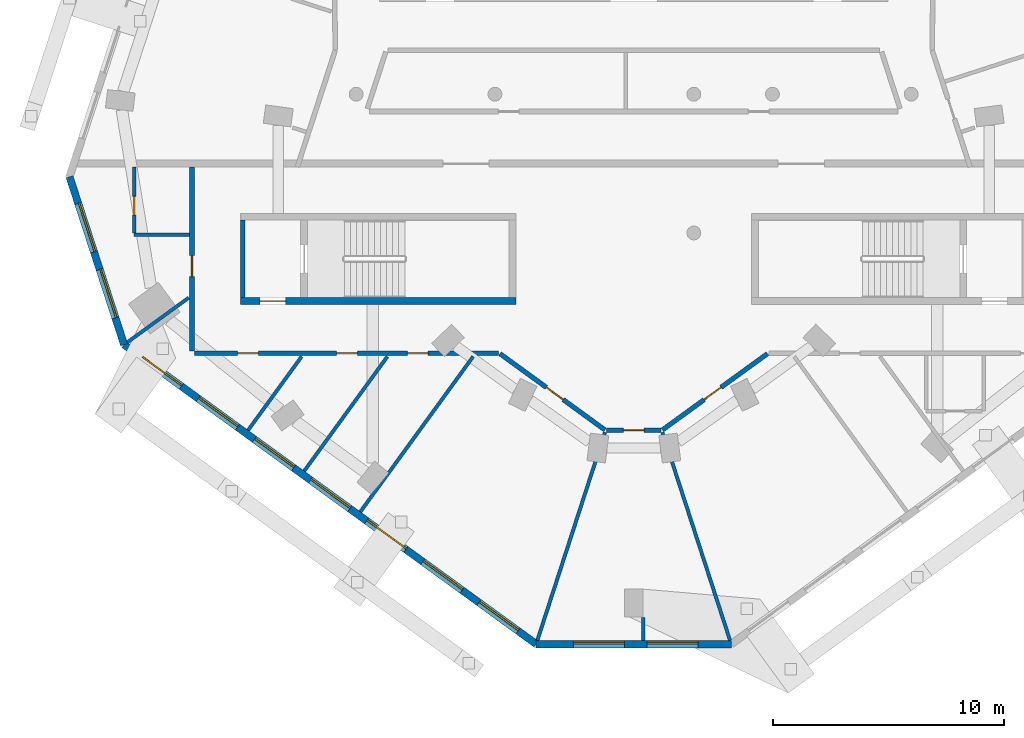
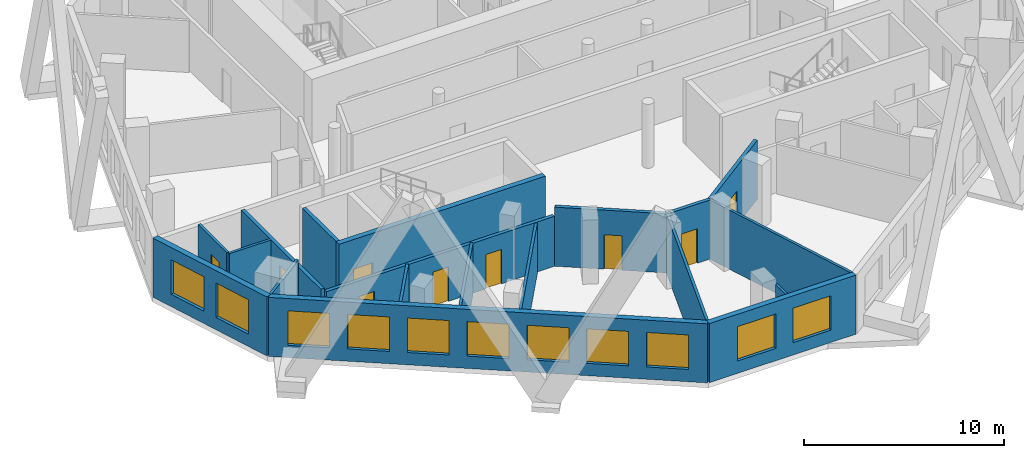
# One storey, part 3 of 10: 19 walls, 11 windows, 9 doors, 20 openings.
"""IFC4 building model written with IfcOpenShell, lengths in metres."""

from ifc_helpers import new_model, si_unit, direction, frame, frame_2d, origin, place, context, subcontext, project, spatial, rectangle, extrude, material, layer, layer_set, type_object, element, fill, save


model = new_model("IFC4")

# Units and contexts
model_context = context("Model", 3, precision=1e-05, world=origin(), true_north=direction((0.0, 1.0)))
body_context = subcontext(model_context, "Body", "Model", "MODEL_VIEW")
ifc_project = project(units=[si_unit("LENGTHUNIT", "METRE"), si_unit("AREAUNIT", "SQUARE_METRE"), si_unit("VOLUMEUNIT", "CUBIC_METRE"), si_unit("PLANEANGLEUNIT", "RADIAN"), si_unit("MASSUNIT", "GRAM", prefix="KILO")], contexts=[model_context])

# Site, building, storey
site_placement = place(None, origin())
site = spatial("IfcSite", under=ifc_project, at=site_placement, CompositionType="ELEMENT")
building_placement = place(site_placement, origin())
building = spatial("IfcBuilding", under=site, at=building_placement, Name="White Candle Pilgrim Tower", CompositionType="ELEMENT")
storey_placement = place(building_placement, frame((0.0, 0.0, 219.89990234375)))
storey = spatial("IfcBuildingStorey", under=building, at=storey_placement, Name="L51", CompositionType="ELEMENT", Elevation=219.89990234375)

# Wall
ifc_material_1 = material(Name="Concrete C50/60", Category="concrete")
ifc_layer_1 = layer(ifc_material_1, 0.199951171875)
ifc_layer_set_1 = layer_set([ifc_layer_1], Name="Core wall 200 mm Concrete C50/60")
wall_type_1 = type_object("IfcWallType", Name="Core wall 200 mm Concrete C50/60", PredefinedType="SHEAR", material=ifc_layer_set_1)
wall_1_placement = place(storey_placement, frame((53.10009765625, 58.199951171875, 0.0), z_axis=(0.0, 0.0, 1.0), x_axis=(0.0, 1.0, 0.0)))
element("IfcWall", 1, at=wall_1_placement, inside=storey, type_object=wall_type_1, Name="WL-L51-C03", PredefinedType="SHEAR", context=body_context, shape_type="SweptSolid", body=[
    extrude(rectangle(XDim=3.35009765625, YDim=0.199951171875, at=frame_2d((1.675048828125, 0.0))), origin(), (0.0, 0.0, 1.0), 3.900146484375),
])

# Wall, opening, door
ifc_material_2 = material(Name="Gypsum board on steel studs", Category="steel")
ifc_layer_2 = layer(ifc_material_2, 0.199951171875)
ifc_layer_set_2 = layer_set([ifc_layer_2], Name="Corridor wall 200 mm EI 45")
wall_type_2 = type_object("IfcWallType", Name="Corridor wall 200 mm EI 45", PredefinedType="PARTITIONING", material=ifc_layer_set_2)
wall_2_placement = place(storey_placement, frame((75.7841796875, 55.781005859375, 0.0), z_axis=(0.0, 0.0, 1.0), x_axis=(-0.809008664729, -0.587796716896, 0.0)))
wall_2 = element("IfcWall", 2, at=wall_2_placement, inside=storey, type_object=wall_type_2, Name="WL-L51-P008", PredefinedType="PARTITIONING", context=body_context, shape_type="SweptSolid", body=[
    extrude(rectangle(XDim=5.6142578125, YDim=0.199951171875, at=frame_2d((2.80712890625, 0.0))), origin(), (0.0, 0.0, 1.0), 3.60009765625),
])
opening_1_placement = place(wall_2_placement, frame((2.482177734375, 0.0, 0.0)))
opening_1 = element("IfcOpeningElement", 3, at=opening_1_placement, cuts=wall_2, Name="Opening T16-108", PredefinedType="OPENING", context=body_context, shape_type="SweptSolid", body=[
    extrude(rectangle(XDim=0.89990234375, YDim=2.10009765625, at=frame_2d((0.449951171875, 1.050048828125))), frame((0.0, 0.10986328125, 0.0), z_axis=(0.0, -1.0, 0.0), x_axis=(1.0, 0.0, 0.0)), (0.0, 0.0, 1.0), 0.219970703125),
])
ifc_material_3 = material(Name="Steel door leaf", Category="steel")
door_type_1 = type_object("IfcDoorType", Name="Fire door 900 x 2100 EI 30", OperationType="NOTDEFINED", PredefinedType="DOOR", material=ifc_material_3)
door_1_placement = place(opening_1_placement, origin())
door_1 = element("IfcDoor", 4, at=door_1_placement, inside=storey, type_object=door_type_1, Name="Door T16-108", OperationType="SINGLE_SWING_RIGHT", OverallHeight=2.10009765625, OverallWidth=0.89990234375, PredefinedType="DOOR", context=body_context, shape_type="SweptSolid", body=[
    extrude(rectangle(XDim=0.89990234375, YDim=2.10009765625, at=frame_2d((0.449951171875, 1.050048828125))), frame((0.0, 0.02490234375, 0.0), z_axis=(0.0, -1.0, 0.0), x_axis=(1.0, 0.0, 0.0)), (0.0, 0.0, 1.0), 0.050048828125),
])
fill(opening_1, door_1)

wall_3_placement = place(storey_placement, frame((71.18359375, 52.4619140625, 0.0), z_axis=(0.0, 0.0, 1.0), x_axis=(-1.0, 0.0, 0.0)))
wall_3 = element("IfcWall", 5, at=wall_3_placement, inside=storey, type_object=wall_type_2, Name="WL-L51-P009", PredefinedType="PARTITIONING", context=body_context, shape_type="SweptSolid", body=[
    extrude(rectangle(XDim=2.3671875, YDim=0.199951171875, at=frame_2d((1.18359375, 0.0))), origin(), (0.0, 0.0, 1.0), 3.60009765625),
])
opening_2_placement = place(wall_3_placement, frame((0.7333984375, 0.0, 0.0)))
opening_2 = element("IfcOpeningElement", 6, at=opening_2_placement, cuts=wall_3, Name="Opening T16-107", PredefinedType="OPENING", context=body_context, shape_type="SweptSolid", body=[
    extrude(rectangle(XDim=0.89990234375, YDim=2.10009765625, at=frame_2d((0.449951171875, 1.050048828125))), frame((0.0, 0.10986328125, 0.0), z_axis=(0.0, -1.0, 0.0), x_axis=(1.0, 0.0, 0.0)), (0.0, 0.0, 1.0), 0.219970703125),
])
door_2_placement = place(opening_2_placement, origin())
door_2 = element("IfcDoor", 7, at=door_2_placement, inside=storey, type_object=door_type_1, Name="Door T16-107", OperationType="SINGLE_SWING_LEFT", OverallHeight=2.10009765625, OverallWidth=0.89990234375, PredefinedType="DOOR", context=body_context, shape_type="SweptSolid", body=[
    extrude(rectangle(XDim=0.89990234375, YDim=2.10009765625, at=frame_2d((0.449951171875, 1.050048828125))), frame((0.0, 0.02490234375, 0.0), z_axis=(0.0, -1.0, 0.0), x_axis=(1.0, 0.0, 0.0)), (0.0, 0.0, 1.0), 0.050048828125),
])
fill(opening_2, door_2)

wall_4_placement = place(storey_placement, frame((68.7578125, 52.48095703125, 0.0), z_axis=(0.0, 0.0, 1.0), x_axis=(-0.809008664729, 0.587796716896, 0.0)))
wall_4 = element("IfcWall", 8, at=wall_4_placement, inside=storey, type_object=wall_type_2, Name="WL-L51-P010", PredefinedType="PARTITIONING", context=body_context, shape_type="SweptSolid", body=[
    extrude(rectangle(XDim=5.6142578125, YDim=0.199951171875, at=frame_2d((2.80712890625, 0.0))), origin(), (0.0, 0.0, 1.0), 3.60009765625),
])
opening_3_placement = place(wall_4_placement, frame((2.23193359375, 0.0, 0.0)))
opening_3 = element("IfcOpeningElement", 9, at=opening_3_placement, cuts=wall_4, Name="Opening T16-106", PredefinedType="OPENING", context=body_context, shape_type="SweptSolid", body=[
    extrude(rectangle(XDim=0.89990234375, YDim=2.10009765625, at=frame_2d((0.449951171875, 1.050048828125))), frame((0.0, 0.10986328125, 0.0), z_axis=(0.0, -1.0, 0.0), x_axis=(1.0, 0.0, 0.0)), (0.0, 0.0, 1.0), 0.219970703125),
])
door_3_placement = place(opening_3_placement, origin())
door_3 = element("IfcDoor", 10, at=door_3_placement, inside=storey, type_object=door_type_1, Name="Door T16-106", OperationType="SINGLE_SWING_RIGHT", OverallHeight=2.10009765625, OverallWidth=0.89990234375, PredefinedType="DOOR", context=body_context, shape_type="SweptSolid", body=[
    extrude(rectangle(XDim=0.89990234375, YDim=2.10009765625, at=frame_2d((0.449951171875, 1.050048828125))), frame((0.0, 0.02490234375, 0.0), z_axis=(0.0, -1.0, 0.0), x_axis=(1.0, 0.0, 0.0)), (0.0, 0.0, 1.0), 0.050048828125),
])
fill(opening_3, door_3)

# Wall, openings, doors
wall_5_placement = place(storey_placement, frame((64.156982421875, 55.800048828125, 0.0), z_axis=(0.0, 0.0, 1.0), x_axis=(-1.0, 0.0, 0.0)))
wall_5 = element("IfcWall", 11, at=wall_5_placement, inside=storey, type_object=wall_type_2, Name="WL-L51-P011", PredefinedType="PARTITIONING", context=body_context, shape_type="SweptSolid", body=[
    extrude(rectangle(XDim=13.156982421875, YDim=0.199951171875, at=frame_2d((6.57861328125, 0.0))), origin(), (0.0, 0.0, 1.0), 3.050048828125),
])
opening_4_placement = place(wall_5_placement, frame((10.384033203125, 0.0, 0.0)))
opening_4 = element("IfcOpeningElement", 12, at=opening_4_placement, cuts=wall_5, Name="Opening T16-103", PredefinedType="OPENING", context=body_context, shape_type="SweptSolid", body=[
    extrude(rectangle(XDim=0.89990234375, YDim=2.10009765625, at=frame_2d((0.449951171875, 1.050048828125))), frame((0.0, 0.10986328125, 0.0), z_axis=(0.0, -1.0, 0.0), x_axis=(1.0, 0.0, 0.0)), (0.0, 0.0, 1.0), 0.219970703125),
])
opening_5_placement = place(wall_5_placement, frame((6.10693359375, 0.0, 0.0)))
opening_5 = element("IfcOpeningElement", 13, at=opening_5_placement, cuts=wall_5, Name="Opening T16-104", PredefinedType="OPENING", context=body_context, shape_type="SweptSolid", body=[
    extrude(rectangle(XDim=0.89990234375, YDim=2.10009765625, at=frame_2d((0.449951171875, 1.050048828125))), frame((0.0, 0.10986328125, 0.0), z_axis=(0.0, -1.0, 0.0), x_axis=(1.0, 0.0, 0.0)), (0.0, 0.0, 1.0), 0.219970703125),
])
opening_6_placement = place(wall_5_placement, frame((3.048828125, 0.0, 0.0)))
opening_6 = element("IfcOpeningElement", 14, at=opening_6_placement, cuts=wall_5, Name="Opening T16-105", PredefinedType="OPENING", context=body_context, shape_type="SweptSolid", body=[
    extrude(rectangle(XDim=0.89990234375, YDim=2.10009765625, at=frame_2d((0.449951171875, 1.050048828125))), frame((0.0, 0.10986328125, 0.0), z_axis=(0.0, -1.0, 0.0), x_axis=(1.0, 0.0, 0.0)), (0.0, 0.0, 1.0), 0.219970703125),
])
door_4_placement = place(opening_4_placement, origin())
door_4 = element("IfcDoor", 15, at=door_4_placement, inside=storey, type_object=door_type_1, Name="Door T16-103", OperationType="SINGLE_SWING_LEFT", OverallHeight=2.10009765625, OverallWidth=0.89990234375, PredefinedType="DOOR", context=body_context, shape_type="SweptSolid", body=[
    extrude(rectangle(XDim=0.89990234375, YDim=2.10009765625, at=frame_2d((0.449951171875, 1.050048828125))), frame((0.0, 0.02490234375, 0.0), z_axis=(0.0, -1.0, 0.0), x_axis=(1.0, 0.0, 0.0)), (0.0, 0.0, 1.0), 0.050048828125),
])
fill(opening_4, door_4)
door_5_placement = place(opening_5_placement, origin())
door_5 = element("IfcDoor", 16, at=door_5_placement, inside=storey, type_object=door_type_1, Name="Door T16-104", OperationType="SINGLE_SWING_RIGHT", OverallHeight=2.10009765625, OverallWidth=0.89990234375, PredefinedType="DOOR", context=body_context, shape_type="SweptSolid", body=[
    extrude(rectangle(XDim=0.89990234375, YDim=2.10009765625, at=frame_2d((0.449951171875, 1.050048828125))), frame((0.0, 0.02490234375, 0.0), z_axis=(0.0, -1.0, 0.0), x_axis=(1.0, 0.0, 0.0)), (0.0, 0.0, 1.0), 0.050048828125),
])
fill(opening_5, door_5)
door_6_placement = place(opening_6_placement, origin())
door_6 = element("IfcDoor", 17, at=door_6_placement, inside=storey, type_object=door_type_1, Name="Door T16-105", OperationType="SINGLE_SWING_LEFT", OverallHeight=2.10009765625, OverallWidth=0.89990234375, PredefinedType="DOOR", context=body_context, shape_type="SweptSolid", body=[
    extrude(rectangle(XDim=0.89990234375, YDim=2.10009765625, at=frame_2d((0.449951171875, 1.050048828125))), frame((0.0, 0.02490234375, 0.0), z_axis=(0.0, -1.0, 0.0), x_axis=(1.0, 0.0, 0.0)), (0.0, 0.0, 1.0), 0.050048828125),
])
fill(opening_6, door_6)

# Wall, opening, door
wall_6_placement = place(storey_placement, frame((50.89990234375, 55.89990234375, 0.0), z_axis=(0.0, 0.0, 1.0), x_axis=(0.0, 1.0, 0.0)))
wall_6 = element("IfcWall", 18, at=wall_6_placement, inside=storey, type_object=wall_type_2, Name="WL-L51-P012", PredefinedType="PARTITIONING", context=body_context, shape_type="SweptSolid", body=[
    extrude(rectangle(XDim=7.9501953125, YDim=0.199951171875, at=frame_2d((3.97509765625, 0.0))), origin(), (0.0, 0.0, 1.0), 3.150146484375),
])
opening_7_placement = place(wall_6_placement, frame((3.216796875, 0.0, 0.0)))
opening_7 = element("IfcOpeningElement", 19, at=opening_7_placement, cuts=wall_6, Name="Opening T16-102", PredefinedType="OPENING", context=body_context, shape_type="SweptSolid", body=[
    extrude(rectangle(XDim=0.89990234375, YDim=2.10009765625, at=frame_2d((0.449951171875, 1.050048828125))), frame((0.0, 0.10986328125, 0.0), z_axis=(0.0, -1.0, 0.0), x_axis=(1.0, 0.0, 0.0)), (0.0, 0.0, 1.0), 0.219970703125),
])
door_7_placement = place(opening_7_placement, origin())
door_7 = element("IfcDoor", 20, at=door_7_placement, inside=storey, type_object=door_type_1, Name="Door T16-102", OperationType="SINGLE_SWING_RIGHT", OverallHeight=2.10009765625, OverallWidth=0.89990234375, PredefinedType="DOOR", context=body_context, shape_type="SweptSolid", body=[
    extrude(rectangle(XDim=0.89990234375, YDim=2.10009765625, at=frame_2d((0.449951171875, 1.050048828125))), frame((0.0, 0.02490234375, 0.0), z_axis=(0.0, -1.0, 0.0), x_axis=(1.0, 0.0, 0.0)), (0.0, 0.0, 1.0), 0.050048828125),
])
fill(opening_7, door_7)

# Wall, openings, windows
ifc_material_4 = material(Name="Precast concrete C40/50", Category="concrete")
ifc_layer_3 = layer(ifc_material_4, 0.320068359375)
ifc_layer_set_3 = layer_set([ifc_layer_3], Name="Facade wall EW1 precast concrete C40/50 pier wall with timber-lined reveals")
wall_type_3 = type_object("IfcWallType", Name="Facade wall EW1 precast concrete C40/50 pier wall with timber-lined reveals", PredefinedType="SOLIDWALL", material=ifc_layer_set_3)
wall_7_placement = place(storey_placement, frame((45.60302734375, 63.431884765625, 0.0), z_axis=(0.0, 0.0, 1.0), x_axis=(0.308997893913, -0.951062722199, 0.0)))
wall_7 = element("IfcWall", 21, at=wall_7_placement, inside=storey, type_object=wall_type_3, Name="Facade wall L51 W chamfer", PredefinedType="SOLIDWALL", context=body_context, shape_type="SweptSolid", body=[
    extrude(rectangle(XDim=7.637939453125, YDim=0.320068359375, at=frame_2d((3.81884765625, 0.0))), origin(), (0.0, 0.0, 1.0), 3.60009765625),
])
opening_8_placement = place(wall_7_placement, frame((1.218994140625, 0.0, 0.75)))
opening_8 = element("IfcOpeningElement", 22, at=opening_8_placement, cuts=wall_7, Name="Opening W4", PredefinedType="OPENING", context=body_context, shape_type="SweptSolid", body=[
    extrude(rectangle(XDim=2.199951171875, YDim=2.10009765625, at=frame_2d((1.10009765625, 1.050048828125))), frame((0.0, 0.169921875, 0.0), z_axis=(0.0, -1.0, 0.0), x_axis=(1.0, 0.0, 0.0)), (0.0, 0.0, 1.0), 0.340087890625),
])
opening_9_placement = place(wall_7_placement, frame((4.218994140625, 0.0, 0.75)))
opening_9 = element("IfcOpeningElement", 23, at=opening_9_placement, cuts=wall_7, Name="Opening W4", PredefinedType="OPENING", context=body_context, shape_type="SweptSolid", body=[
    extrude(rectangle(XDim=2.199951171875, YDim=2.10009765625, at=frame_2d((1.10009765625, 1.050048828125))), frame((0.0, 0.169921875, 0.0), z_axis=(0.0, -1.0, 0.0), x_axis=(1.0, 0.0, 0.0)), (0.0, 0.0, 1.0), 0.340087890625),
])
ifc_material_5 = material(Name="Timber frame with triple glazing", Category="wood")
window_type_1 = type_object("IfcWindowType", Name="Window W4 2200x2100 timber frame triple glazing", PartitioningType="SINGLE_PANEL", PredefinedType="WINDOW", material=ifc_material_5)
window_1_placement = place(opening_8_placement, origin())
window_1 = element("IfcWindow", 24, at=window_1_placement, inside=storey, type_object=window_type_1, Name="Window W4 L51 W chamfer 1", OverallHeight=2.10009765625, OverallWidth=2.199951171875, PartitioningType="SINGLE_PANEL", PredefinedType="WINDOW", context=body_context, shape_type="SweptSolid", body=[
    extrude(rectangle(XDim=2.199951171875, YDim=2.10009765625, at=frame_2d((1.10009765625, 1.050048828125))), frame((0.0, 0.070068359375, 0.0), z_axis=(0.0, -1.0, 0.0), x_axis=(1.0, 0.0, 0.0)), (0.0, 0.0, 1.0), 0.06005859375),
])
fill(opening_8, window_1)
window_2_placement = place(opening_9_placement, origin())
window_2 = element("IfcWindow", 25, at=window_2_placement, inside=storey, type_object=window_type_1, Name="Window W4 L51 W chamfer 2", OverallHeight=2.10009765625, OverallWidth=2.199951171875, PartitioningType="SINGLE_PANEL", PredefinedType="WINDOW", context=body_context, shape_type="SweptSolid", body=[
    extrude(rectangle(XDim=2.199951171875, YDim=2.10009765625, at=frame_2d((1.10009765625, 1.050048828125))), frame((0.0, 0.070068359375, 0.0), z_axis=(0.0, -1.0, 0.0), x_axis=(1.0, 0.0, 0.0)), (0.0, 0.0, 1.0), 0.06005859375),
])
fill(opening_9, window_2)

wall_8_placement = place(storey_placement, frame((47.963134765625, 56.167724609375, 0.0), z_axis=(0.0, 0.0, 1.0), x_axis=(0.809020717907, -0.587780127256, 0.0)))
wall_8 = element("IfcWall", 26, at=wall_8_placement, inside=storey, type_object=wall_type_3, Name="Facade wall L51 SW", PredefinedType="SOLIDWALL", context=body_context, shape_type="SweptSolid", body=[
    extrude(rectangle(XDim=22.02490234375, YDim=0.320068359375, at=frame_2d((11.012451171875, 0.0))), origin(), (0.0, 0.0, 1.0), 3.60009765625),
])
opening_10_placement = place(wall_8_placement, frame((0.96240234375, 0.0, 0.75)))
opening_10 = element("IfcOpeningElement", 27, at=opening_10_placement, cuts=wall_8, Name="Opening W3", PredefinedType="OPENING", context=body_context, shape_type="SweptSolid", body=[
    extrude(rectangle(XDim=2.10009765625, YDim=2.10009765625, at=frame_2d((1.050048828125, 1.050048828125))), frame((0.0, 0.169921875, 0.0), z_axis=(0.0, -1.0, 0.0), x_axis=(1.0, 0.0, 0.0)), (0.0, 0.0, 1.0), 0.340087890625),
])
opening_11_placement = place(wall_8_placement, frame((3.96240234375, 0.0, 0.75)))
opening_11 = element("IfcOpeningElement", 28, at=opening_11_placement, cuts=wall_8, Name="Opening W3", PredefinedType="OPENING", context=body_context, shape_type="SweptSolid", body=[
    extrude(rectangle(XDim=2.10009765625, YDim=2.10009765625, at=frame_2d((1.050048828125, 1.050048828125))), frame((0.0, 0.169921875, 0.0), z_axis=(0.0, -1.0, 0.0), x_axis=(1.0, 0.0, 0.0)), (0.0, 0.0, 1.0), 0.340087890625),
])
opening_12_placement = place(wall_8_placement, frame((6.96240234375, 0.0, 0.75)))
opening_12 = element("IfcOpeningElement", 29, at=opening_12_placement, cuts=wall_8, Name="Opening W3", PredefinedType="OPENING", context=body_context, shape_type="SweptSolid", body=[
    extrude(rectangle(XDim=2.10009765625, YDim=2.10009765625, at=frame_2d((1.050048828125, 1.050048828125))), frame((0.0, 0.169921875, 0.0), z_axis=(0.0, -1.0, 0.0), x_axis=(1.0, 0.0, 0.0)), (0.0, 0.0, 1.0), 0.340087890625),
])
opening_13_placement = place(wall_8_placement, frame((9.96240234375, 0.0, 0.75)))
opening_13 = element("IfcOpeningElement", 30, at=opening_13_placement, cuts=wall_8, Name="Opening W3", PredefinedType="OPENING", context=body_context, shape_type="SweptSolid", body=[
    extrude(rectangle(XDim=2.10009765625, YDim=2.10009765625, at=frame_2d((1.050048828125, 1.050048828125))), frame((0.0, 0.169921875, 0.0), z_axis=(0.0, -1.0, 0.0), x_axis=(1.0, 0.0, 0.0)), (0.0, 0.0, 1.0), 0.340087890625),
])
opening_14_placement = place(wall_8_placement, frame((12.96240234375, 0.0, 0.75)))
opening_14 = element("IfcOpeningElement", 31, at=opening_14_placement, cuts=wall_8, Name="Opening W3", PredefinedType="OPENING", context=body_context, shape_type="SweptSolid", body=[
    extrude(rectangle(XDim=2.10009765625, YDim=2.10009765625, at=frame_2d((1.050048828125, 1.050048828125))), frame((0.0, 0.169921875, 0.0), z_axis=(0.0, -1.0, 0.0), x_axis=(1.0, 0.0, 0.0)), (0.0, 0.0, 1.0), 0.340087890625),
])
opening_15_placement = place(wall_8_placement, frame((15.96240234375, 0.0, 0.75)))
opening_15 = element("IfcOpeningElement", 32, at=opening_15_placement, cuts=wall_8, Name="Opening W3", PredefinedType="OPENING", context=body_context, shape_type="SweptSolid", body=[
    extrude(rectangle(XDim=2.10009765625, YDim=2.10009765625, at=frame_2d((1.050048828125, 1.050048828125))), frame((0.0, 0.169921875, 0.0), z_axis=(0.0, -1.0, 0.0), x_axis=(1.0, 0.0, 0.0)), (0.0, 0.0, 1.0), 0.340087890625),
])
opening_16_placement = place(wall_8_placement, frame((18.96240234375, 0.0, 0.75)))
opening_16 = element("IfcOpeningElement", 33, at=opening_16_placement, cuts=wall_8, Name="Opening W3", PredefinedType="OPENING", context=body_context, shape_type="SweptSolid", body=[
    extrude(rectangle(XDim=2.10009765625, YDim=2.10009765625, at=frame_2d((1.050048828125, 1.050048828125))), frame((0.0, 0.169921875, 0.0), z_axis=(0.0, -1.0, 0.0), x_axis=(1.0, 0.0, 0.0)), (0.0, 0.0, 1.0), 0.340087890625),
])
window_type_2 = type_object("IfcWindowType", Name="Window W3 2100x2100 timber frame triple glazing", PartitioningType="SINGLE_PANEL", PredefinedType="WINDOW", material=ifc_material_5)
window_3_placement = place(opening_10_placement, origin())
window_3 = element("IfcWindow", 34, at=window_3_placement, inside=storey, type_object=window_type_2, Name="Window W3 L51 SW 1", OverallHeight=2.10009765625, OverallWidth=2.10009765625, PartitioningType="SINGLE_PANEL", PredefinedType="WINDOW", context=body_context, shape_type="SweptSolid", body=[
    extrude(rectangle(XDim=2.10009765625, YDim=2.10009765625, at=frame_2d((1.050048828125, 1.050048828125))), frame((0.0, 0.070068359375, 0.0), z_axis=(0.0, -1.0, 0.0), x_axis=(1.0, 0.0, 0.0)), (0.0, 0.0, 1.0), 0.06005859375),
])
fill(opening_10, window_3)
window_4_placement = place(opening_11_placement, origin())
window_4 = element("IfcWindow", 35, at=window_4_placement, inside=storey, type_object=window_type_2, Name="Window W3 L51 SW 2", OverallHeight=2.10009765625, OverallWidth=2.10009765625, PartitioningType="SINGLE_PANEL", PredefinedType="WINDOW", context=body_context, shape_type="SweptSolid", body=[
    extrude(rectangle(XDim=2.10009765625, YDim=2.10009765625, at=frame_2d((1.050048828125, 1.050048828125))), frame((0.0, 0.070068359375, 0.0), z_axis=(0.0, -1.0, 0.0), x_axis=(1.0, 0.0, 0.0)), (0.0, 0.0, 1.0), 0.06005859375),
])
fill(opening_11, window_4)
window_5_placement = place(opening_12_placement, origin())
window_5 = element("IfcWindow", 36, at=window_5_placement, inside=storey, type_object=window_type_2, Name="Window W3 L51 SW 3", OverallHeight=2.10009765625, OverallWidth=2.10009765625, PartitioningType="SINGLE_PANEL", PredefinedType="WINDOW", context=body_context, shape_type="SweptSolid", body=[
    extrude(rectangle(XDim=2.10009765625, YDim=2.10009765625, at=frame_2d((1.050048828125, 1.050048828125))), frame((0.0, 0.070068359375, 0.0), z_axis=(0.0, -1.0, 0.0), x_axis=(1.0, 0.0, 0.0)), (0.0, 0.0, 1.0), 0.06005859375),
])
fill(opening_12, window_5)
window_6_placement = place(opening_13_placement, origin())
window_6 = element("IfcWindow", 37, at=window_6_placement, inside=storey, type_object=window_type_2, Name="Window W3 L51 SW 4", OverallHeight=2.10009765625, OverallWidth=2.10009765625, PartitioningType="SINGLE_PANEL", PredefinedType="WINDOW", context=body_context, shape_type="SweptSolid", body=[
    extrude(rectangle(XDim=2.10009765625, YDim=2.10009765625, at=frame_2d((1.050048828125, 1.050048828125))), frame((0.0, 0.070068359375, 0.0), z_axis=(0.0, -1.0, 0.0), x_axis=(1.0, 0.0, 0.0)), (0.0, 0.0, 1.0), 0.06005859375),
])
fill(opening_13, window_6)
window_7_placement = place(opening_14_placement, origin())
window_7 = element("IfcWindow", 38, at=window_7_placement, inside=storey, type_object=window_type_2, Name="Window W3 L51 SW 5", OverallHeight=2.10009765625, OverallWidth=2.10009765625, PartitioningType="SINGLE_PANEL", PredefinedType="WINDOW", context=body_context, shape_type="SweptSolid", body=[
    extrude(rectangle(XDim=2.10009765625, YDim=2.10009765625, at=frame_2d((1.050048828125, 1.050048828125))), frame((0.0, 0.070068359375, 0.0), z_axis=(0.0, -1.0, 0.0), x_axis=(1.0, 0.0, 0.0)), (0.0, 0.0, 1.0), 0.06005859375),
])
fill(opening_14, window_7)
window_8_placement = place(opening_15_placement, origin())
window_8 = element("IfcWindow", 39, at=window_8_placement, inside=storey, type_object=window_type_2, Name="Window W3 L51 SW 6", OverallHeight=2.10009765625, OverallWidth=2.10009765625, PartitioningType="SINGLE_PANEL", PredefinedType="WINDOW", context=body_context, shape_type="SweptSolid", body=[
    extrude(rectangle(XDim=2.10009765625, YDim=2.10009765625, at=frame_2d((1.050048828125, 1.050048828125))), frame((0.0, 0.070068359375, 0.0), z_axis=(0.0, -1.0, 0.0), x_axis=(1.0, 0.0, 0.0)), (0.0, 0.0, 1.0), 0.06005859375),
])
fill(opening_15, window_8)
window_9_placement = place(opening_16_placement, origin())
window_9 = element("IfcWindow", 40, at=window_9_placement, inside=storey, type_object=window_type_2, Name="Window W3 L51 SW 7", OverallHeight=2.10009765625, OverallWidth=2.10009765625, PartitioningType="SINGLE_PANEL", PredefinedType="WINDOW", context=body_context, shape_type="SweptSolid", body=[
    extrude(rectangle(XDim=2.10009765625, YDim=2.10009765625, at=frame_2d((1.050048828125, 1.050048828125))), frame((0.0, 0.070068359375, 0.0), z_axis=(0.0, -1.0, 0.0), x_axis=(1.0, 0.0, 0.0)), (0.0, 0.0, 1.0), 0.06005859375),
])
fill(opening_16, window_9)

wall_9_placement = place(storey_placement, frame((65.78173828125, 43.221923828125, 0.0), z_axis=(0.0, 0.0, 1.0), x_axis=(1.0, 0.0, 0.0)))
wall_9 = element("IfcWall", 41, at=wall_9_placement, inside=storey, type_object=wall_type_3, Name="Facade wall L51 S chamfer", PredefinedType="SOLIDWALL", context=body_context, shape_type="SweptSolid", body=[
    extrude(rectangle(XDim=8.4365234375, YDim=0.320068359375, at=frame_2d((4.21826171875, 0.0))), origin(), (0.0, 0.0, 1.0), 3.60009765625),
])
opening_17_placement = place(wall_9_placement, frame((1.618408203125, 0.0, 0.75)))
opening_17 = element("IfcOpeningElement", 42, at=opening_17_placement, cuts=wall_9, Name="Opening W4", PredefinedType="OPENING", context=body_context, shape_type="SweptSolid", body=[
    extrude(rectangle(XDim=2.199951171875, YDim=2.10009765625, at=frame_2d((1.10009765625, 1.050048828125))), frame((0.0, 0.169921875, 0.0), z_axis=(0.0, -1.0, 0.0), x_axis=(1.0, 0.0, 0.0)), (0.0, 0.0, 1.0), 0.340087890625),
])
opening_18_placement = place(wall_9_placement, frame((4.80322265625, 0.0, 0.75)))
opening_18 = element("IfcOpeningElement", 43, at=opening_18_placement, cuts=wall_9, Name="Opening W4", PredefinedType="OPENING", context=body_context, shape_type="SweptSolid", body=[
    extrude(rectangle(XDim=2.199951171875, YDim=2.10009765625, at=frame_2d((1.10009765625, 1.050048828125))), frame((0.0, 0.169921875, 0.0), z_axis=(0.0, -1.0, 0.0), x_axis=(1.0, 0.0, 0.0)), (0.0, 0.0, 1.0), 0.340087890625),
])
window_10_placement = place(opening_17_placement, origin())
window_10 = element("IfcWindow", 44, at=window_10_placement, inside=storey, type_object=window_type_1, Name="Window W4 L51 S chamfer 1", OverallHeight=2.10009765625, OverallWidth=2.199951171875, PartitioningType="SINGLE_PANEL", PredefinedType="WINDOW", context=body_context, shape_type="SweptSolid", body=[
    extrude(rectangle(XDim=2.199951171875, YDim=2.10009765625, at=frame_2d((1.10009765625, 1.050048828125))), frame((0.0, 0.070068359375, 0.0), z_axis=(0.0, -1.0, 0.0), x_axis=(1.0, 0.0, 0.0)), (0.0, 0.0, 1.0), 0.06005859375),
])
fill(opening_17, window_10)
window_11_placement = place(opening_18_placement, origin())
window_11 = element("IfcWindow", 45, at=window_11_placement, inside=storey, type_object=window_type_1, Name="Window W4 L51 S chamfer 2", OverallHeight=2.10009765625, OverallWidth=2.199951171875, PartitioningType="SINGLE_PANEL", PredefinedType="WINDOW", context=body_context, shape_type="SweptSolid", body=[
    extrude(rectangle(XDim=2.199951171875, YDim=2.10009765625, at=frame_2d((1.10009765625, 1.050048828125))), frame((0.0, 0.070068359375, 0.0), z_axis=(0.0, -1.0, 0.0), x_axis=(1.0, 0.0, 0.0)), (0.0, 0.0, 1.0), 0.06005859375),
])
fill(opening_18, window_11)

# Walls
ifc_layer_4 = layer(ifc_material_2, 0.14990234375)
ifc_layer_set_4 = layer_set([ifc_layer_4], Name="Partition 150 mm EI 60")
wall_type_4 = type_object("IfcWallType", Name="Partition 150 mm EI 60", PredefinedType="PARTITIONING", material=ifc_layer_set_4)
wall_10_placement = place(storey_placement, frame((48.099365234375, 56.2666015625, 0.0), z_axis=(0.0, 0.0, 1.0), x_axis=(0.808999643258, 0.587809133315, 0.0)))
element("IfcWall", 46, at=wall_10_placement, inside=storey, type_object=wall_type_4, Name="WL-L51-P018", PredefinedType="PARTITIONING", context=body_context, shape_type="SweptSolid", body=[
    extrude(rectangle(XDim=3.28369140625, YDim=0.14990234375, at=frame_2d((1.641845703125, 0.0))), origin(), (0.0, 0.0, 1.0), 3.60009765625),
])
for number, where, z_axis, x_axis, name in (
    (47, (65.833740234375, 43.3818359375, 0.0), (0.0, 0.0, 1.0), (0.309020146715, 0.951055492032, 0.0), "WL-L51-P019"),
    (48, (74.166259765625, 43.3818359375, 0.0), (0.0, 0.0, 1.0), (-0.309020146715, 0.951055492032, 0.0), "WL-L51-P020"),
):
    element("IfcWall", number, at=place(storey_placement, frame(where, z_axis=z_axis, x_axis=x_axis)), inside=storey, type_object=wall_type_4, Name=name, PredefinedType="PARTITIONING", context=body_context, shape_type="SweptSolid", body=[
        extrude(rectangle(XDim=9.46240234375, YDim=0.14990234375, at=frame_2d((4.731201171875, 0.0))), origin(), (0.0, 0.0, 1.0), 3.60009765625),
    ])
wall_11_placement = place(storey_placement, frame((50.800048828125, 60.931884765625, 0.0), z_axis=(0.0, 0.0, 1.0), x_axis=(-1.0, 0.0, 0.0)))
element("IfcWall", 49, at=wall_11_placement, inside=storey, type_object=wall_type_4, Name="WL-L51-P024", PredefinedType="PARTITIONING", context=body_context, shape_type="SweptSolid", body=[
    extrude(rectangle(XDim=2.400146484375, YDim=0.14990234375, at=frame_2d((1.2001953125, 0.0))), origin(), (0.0, 0.0, 1.0), 3.150146484375),
])

# Wall, opening, door
wall_12_placement = place(storey_placement, frame((48.39990234375, 63.85009765625, 0.0), z_axis=(0.0, 0.0, 1.0), x_axis=(0.0, -1.0, 0.0)))
wall_12 = element("IfcWall", 50, at=wall_12_placement, inside=storey, type_object=wall_type_4, Name="WL-L51-P025", PredefinedType="PARTITIONING", context=body_context, shape_type="SweptSolid", body=[
    extrude(rectangle(XDim=2.84326171875, YDim=0.14990234375, at=frame_2d((1.421630859375, 0.0))), origin(), (0.0, 0.0, 1.0), 3.150146484375),
])
opening_19_placement = place(wall_12_placement, frame((1.268310546875, 0.0, 0.0)))
opening_19 = element("IfcOpeningElement", 51, at=opening_19_placement, cuts=wall_12, Name="Opening T16-101", PredefinedType="OPENING", context=body_context, shape_type="SweptSolid", body=[
    extrude(rectangle(XDim=0.800048828125, YDim=2.10009765625, at=frame_2d((0.39990234375, 1.050048828125))), frame((0.0, 0.0849609375, 0.0), z_axis=(0.0, -1.0, 0.0), x_axis=(1.0, 0.0, 0.0)), (0.0, 0.0, 1.0), 0.169921875),
])
door_type_2 = type_object("IfcDoorType", Name="Fire door 800 x 2100 EI 30", OperationType="NOTDEFINED", PredefinedType="DOOR", material=ifc_material_3)
door_8_placement = place(opening_19_placement, frame((0.800048828125, 0.0, 0.0), z_axis=(0.0, 0.0, 1.0), x_axis=(-1.0, 0.0, 0.0)))
door_8 = element("IfcDoor", 52, at=door_8_placement, inside=storey, type_object=door_type_2, Name="Door T16-101", OperationType="SINGLE_SWING_RIGHT", OverallHeight=2.10009765625, OverallWidth=0.800048828125, PredefinedType="DOOR", context=body_context, shape_type="SweptSolid", body=[
    extrude(rectangle(XDim=0.800048828125, YDim=2.10009765625, at=frame_2d((0.39990234375, 1.050048828125))), frame((0.0, 0.02490234375, 0.0), z_axis=(0.0, -1.0, 0.0), x_axis=(1.0, 0.0, 0.0)), (0.0, 0.0, 1.0), 0.050048828125),
])
fill(opening_19, door_8)

# Walls
wall_13_placement = place(storey_placement, frame((53.325927734375, 52.46923828125, 0.0), z_axis=(0.0, 0.0, 1.0), x_axis=(0.587762550111, 0.809033487989, 0.0)))
element("IfcWall", 53, at=wall_13_placement, inside=storey, type_object=wall_type_4, Name="WL-L51-P026", PredefinedType="PARTITIONING", context=body_context, shape_type="SweptSolid", body=[
    extrude(rectangle(XDim=3.93896484375, YDim=0.14990234375, at=frame_2d((1.969482421875, 0.0))), origin(), (0.0, 0.0, 1.0), 3.150146484375),
])
wall_14_placement = place(storey_placement, frame((55.7529296875, 50.705810546875, 0.0), z_axis=(0.0, 0.0, 1.0), x_axis=(0.58777542513, 0.809024134135, 0.0)))
element("IfcWall", 54, at=wall_14_placement, inside=storey, type_object=wall_type_4, Name="WL-L51-P027", PredefinedType="PARTITIONING", context=body_context, shape_type="SweptSolid", body=[
    extrude(rectangle(XDim=6.11865234375, YDim=0.14990234375, at=frame_2d((3.059326171875, 0.0))), origin(), (0.0, 0.0, 1.0), 3.150146484375),
])
wall_15_placement = place(storey_placement, frame((58.179931640625, 48.942626953125, 0.0), z_axis=(0.0, 0.0, 1.0), x_axis=(0.587795526612, 0.809009529545, 0.0)))
element("IfcWall", 55, at=wall_15_placement, inside=storey, type_object=wall_type_4, Name="WL-L51-P028", PredefinedType="PARTITIONING", context=body_context, shape_type="SweptSolid", body=[
    extrude(rectangle(XDim=8.29833984375, YDim=0.14990234375, at=frame_2d((4.149169921875, 0.0))), origin(), (0.0, 0.0, 1.0), 3.050048828125),
])
wall_16_placement = place(storey_placement, frame((70.409912109375, 44.3701171875, 0.0), z_axis=(0.0, 0.0, 1.0), x_axis=(0.0, -1.0, 0.0)))
element("IfcWall", 56, at=wall_16_placement, inside=storey, type_object=wall_type_4, Name="WL-L51-P039", PredefinedType="PARTITIONING", context=body_context, shape_type="SweptSolid", body=[
    extrude(rectangle(XDim=0.98828125, YDim=0.14990234375, at=frame_2d((0.494140625, 0.0))), origin(), (0.0, 0.0, 1.0), 3.60009765625),
])

# Wall, opening, door
ifc_layer_5 = layer(ifc_material_1, 0.300048828125)
ifc_layer_set_5 = layer_set([ifc_layer_5], Name="Stair shaft wall 300 mm Concrete C50/60")
wall_type_5 = type_object("IfcWallType", Name="Stair shaft wall 300 mm Concrete C50/60", PredefinedType="SHEAR", material=ifc_layer_set_5)
wall_17_placement = place(storey_placement, frame((53.0, 58.050048828125, 0.0), z_axis=(0.0, 0.0, 1.0), x_axis=(1.0, 0.0, 0.0)))
wall_17 = element("IfcWall", 57, at=wall_17_placement, inside=storey, type_object=wall_type_5, Name="WL-L51-C01", PredefinedType="SHEAR", context=body_context, shape_type="SweptSolid", body=[
    extrude(rectangle(XDim=11.89990234375, YDim=0.300048828125, at=frame_2d((5.949951171875, 0.0))), origin(), (0.0, 0.0, 1.0), 3.900146484375),
])
opening_20_placement = place(wall_17_placement, frame((0.85009765625, 0.0, 0.0)))
opening_20 = element("IfcOpeningElement", 58, at=opening_20_placement, cuts=wall_17, Name="Opening T16-010", PredefinedType="OPENING", context=body_context, shape_type="SweptSolid", body=[
    extrude(rectangle(XDim=1.10009765625, YDim=2.10009765625, at=frame_2d((0.550048828125, 1.050048828125))), frame((0.0, 0.159912109375, 0.0), z_axis=(0.0, -1.0, 0.0), x_axis=(1.0, 0.0, 0.0)), (0.0, 0.0, 1.0), 0.320068359375),
])
door_type_3 = type_object("IfcDoorType", Name="Fire door 1100 x 2100 EI 60", OperationType="NOTDEFINED", PredefinedType="DOOR", material=ifc_material_3)
door_9_placement = place(opening_20_placement, origin())
door_9 = element("IfcDoor", 59, at=door_9_placement, inside=storey, type_object=door_type_3, Name="Door T16-010", OperationType="SINGLE_SWING_RIGHT", OverallHeight=2.10009765625, OverallWidth=1.10009765625, PredefinedType="DOOR", context=body_context, shape_type="SweptSolid", body=[
    extrude(rectangle(XDim=1.10009765625, YDim=2.10009765625, at=frame_2d((0.550048828125, 1.050048828125))), frame((0.0, 0.02490234375, 0.0), z_axis=(0.0, -1.0, 0.0), x_axis=(1.0, 0.0, 0.0)), (0.0, 0.0, 1.0), 0.050048828125),
])
fill(opening_20, door_9)

save(model, "model.ifc")
